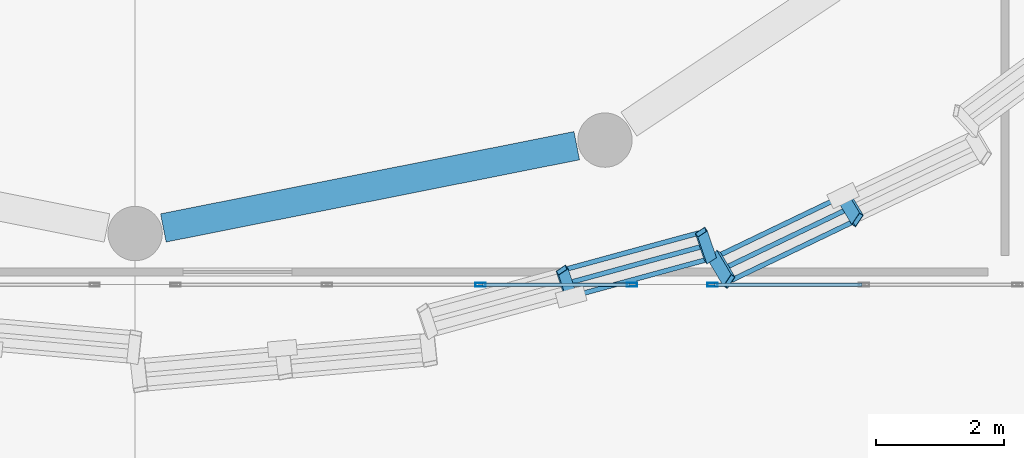
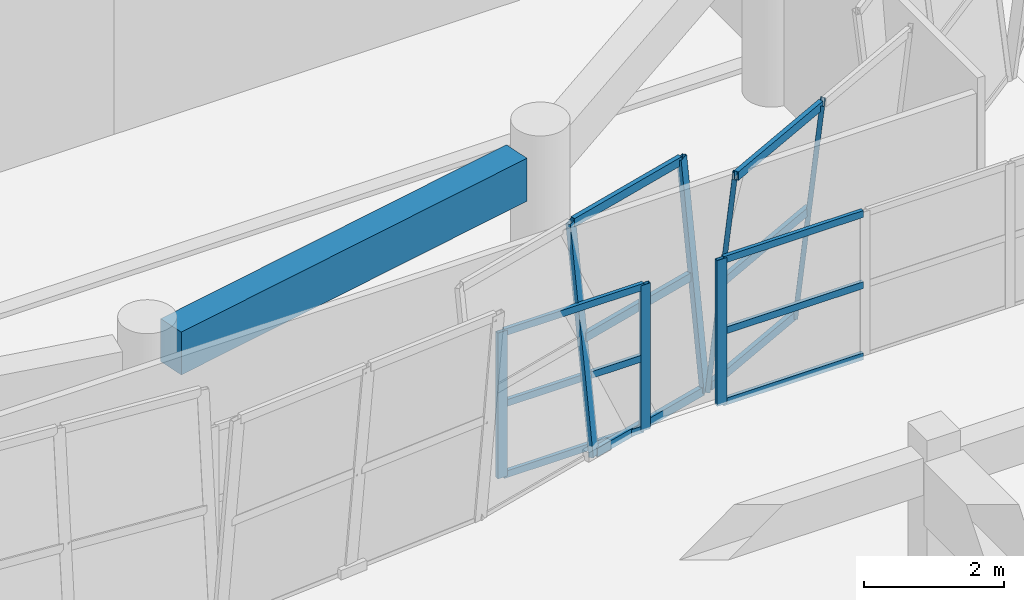
# One storey, part 22 of 74: 19 members, 1 beam, 4 elements without a shape of their own.
"""IFC4 building model written with IfcOpenShell, lengths in metres."""

from ifc_helpers import new_model, si_unit, direction, frame, origin, origin_2d, place, context, subcontext, project, spatial, rectangle, hollow_rectangle, extrude, material, material_profile, profile_set, type_object, element, aggregate, save


model = new_model("IFC4")

# Units and contexts
model_context = context("Model", 3, precision=1e-05, world=origin(), true_north=direction((0.0, 1.0)))
body_context = subcontext(model_context, "Body", "Model", "MODEL_VIEW")
ifc_project = project(units=[si_unit("LENGTHUNIT", "METRE"), si_unit("AREAUNIT", "SQUARE_METRE"), si_unit("VOLUMEUNIT", "CUBIC_METRE"), si_unit("PLANEANGLEUNIT", "RADIAN"), si_unit("MASSUNIT", "GRAM", prefix="KILO")], contexts=[model_context])

# Site, building, storey
site_placement = place(None, origin())
site = spatial("IfcSite", under=ifc_project, at=site_placement, CompositionType="ELEMENT")
building_placement = place(site_placement, origin())
building = spatial("IfcBuilding", under=site, at=building_placement, Name="Korsvaeld Concert Hall", CompositionType="ELEMENT")
storey_placement = place(building_placement, frame((0.0, 0.0, 9.0)))
storey = spatial("IfcBuildingStorey", under=building, at=storey_placement, Name="L02", CompositionType="ELEMENT", Elevation=9.0)

# Beam
ifc_material_1 = material(Name="Concrete C35/45", Category="concrete")
ifc_material_profile_1 = material_profile(ifc_material_1, rectangle(XDim=0.449951171875, YDim=0.75, at=origin_2d()), Name="RC 450x750")
ifc_profile_set_1 = profile_set([ifc_material_profile_1], Name="Concrete C35/45")
beam_type = type_object("IfcBeamType", Name="BM-RC-450x750", PredefinedType="T_BEAM", material=ifc_profile_set_1)
beam_placement = place(storey_placement, frame((84.44140625, 44.087890625, 3.465087890625), z_axis=(0.980785284484, 0.195090301499, 0.0), x_axis=(-0.195090301499, 0.980785284484, 0.0)))
element("IfcBeam", 1, at=beam_placement, inside=storey, type_object=beam_type, Name="Drum ring floor girder L02 13", PredefinedType="T_BEAM", context=body_context, shape_type="SweptSolid", body=[
    extrude(rectangle(XDim=0.449951171875, YDim=0.75, at=origin_2d()), origin(), (0.0, 0.0, 1.0), 6.59130859375),
])

# Curtain wall, members
ifc_material_2 = material(Name="Anodised bronze and ceramic-fritted safety glass", Category="glass")
curtain_wall_type_1 = type_object("IfcCurtainWallType", Name="CW-TYPE-10", PredefinedType="USERDEFINED", material=ifc_material_2)
curtain_wall_1_placement = place(storey_placement, origin())
curtain_wall_1 = element("IfcCurtainWall", 2, at=curtain_wall_1_placement, inside=storey, type_object=curtain_wall_type_1, Name="Glazed foyer acoustic screen L02-34", ObjectType="CURTAIN WALL", PredefinedType="USERDEFINED")
ifc_material_3 = material(Name="Anodised architectural bronze aluminium", Category="aluminium")
ifc_material_profile_2 = material_profile(ifc_material_3, hollow_rectangle(XDim=0.06005859375, YDim=0.159912109375, WallThickness=0.00390625, at=origin_2d()), Name="CWM 160x60x4")
ifc_profile_set_2 = profile_set([ifc_material_profile_2], Name="Anodised architectural bronze aluminium")
member_type_1 = type_object("IfcMemberType", Name="CWM-ALUM-160x60", PredefinedType="MULLION", material=ifc_profile_set_2)
member_1_placement = place(storey_placement, frame((89.39990234375, 43.199951171875, 0.0), z_axis=(0.0, 0.0, 1.0), x_axis=(0.0, 1.0, 0.0)))
member_1 = element("IfcMember", 3, at=member_1_placement, type_object=member_type_1, Name="CW-10 mullion 3", PredefinedType="MULLION", context=body_context, shape_type="SweptSolid", body=[
    extrude(hollow_rectangle(XDim=0.06005859375, YDim=0.159912109375, WallThickness=0.00390625, at=origin_2d()), origin(), (0.0, 0.0, 1.0), 2.550048828125),
])
member_2_placement = place(storey_placement, frame((91.77001953125, 43.199951171875, 0.0), z_axis=(0.0, 0.0, 1.0), x_axis=(0.0, 1.0, 0.0)))
member_2 = element("IfcMember", 4, at=member_2_placement, type_object=member_type_1, Name="CW-10 mullion 4", PredefinedType="MULLION", context=body_context, shape_type="SweptSolid", body=[
    extrude(hollow_rectangle(XDim=0.06005859375, YDim=0.159912109375, WallThickness=0.00390625, at=origin_2d()), origin(), (0.0, 0.0, 1.0), 2.550048828125),
])

# Curtain wall, member
curtain_wall_type_2 = type_object("IfcCurtainWallType", Name="CW-TYPE-11", PredefinedType="USERDEFINED", material=ifc_material_2)
curtain_wall_2_placement = place(storey_placement, origin())
curtain_wall_2 = element("IfcCurtainWall", 5, at=curtain_wall_2_placement, inside=storey, type_object=curtain_wall_type_2, Name="Glazed foyer acoustic screen L02-35", ObjectType="CURTAIN WALL", PredefinedType="USERDEFINED")
member_3_placement = place(storey_placement, frame((93.030029296875, 43.199951171875, 0.0), z_axis=(0.0, 0.0, 1.0), x_axis=(0.0, 1.0, 0.0)))
member_3 = element("IfcMember", 6, at=member_3_placement, type_object=member_type_1, Name="CW-11 mullion 1", PredefinedType="MULLION", context=body_context, shape_type="SweptSolid", body=[
    extrude(hollow_rectangle(XDim=0.06005859375, YDim=0.159912109375, WallThickness=0.00390625, at=origin_2d()), origin(), (0.0, 0.0, 1.0), 2.550048828125),
])

# Curtain wall, members
curtain_wall_type_3 = type_object("IfcCurtainWallType", Name="CW-TYPE-02", PredefinedType="USERDEFINED", material=ifc_material_2)
curtain_wall_3_placement = place(storey_placement, origin())
curtain_wall_3 = element("IfcCurtainWall", 7, at=curtain_wall_3_placement, inside=storey, type_object=curtain_wall_type_3, Name="Crystal curtain-wall facet L02 F26", ObjectType="CURTAIN WALL", PredefinedType="USERDEFINED")
ifc_material_profile_3 = material_profile(ifc_material_3, hollow_rectangle(XDim=0.074951171875, YDim=0.179931640625, WallThickness=0.0048828125, at=origin_2d()), Name="CWM 180x75x5")
ifc_profile_set_3 = profile_set([ifc_material_profile_3], Name="Anodised architectural bronze aluminium")
member_type_2 = type_object("IfcMemberType", Name="CWM-BRONZE-180x75", PredefinedType="MULLION", material=ifc_profile_set_3)
member_4_placement = place(storey_placement, frame((90.817626953125, 43.010498046875, 0.0), z_axis=(-0.036199127939, 0.107284462077, 0.993569155788), x_axis=(0.555586106848, -0.82425112305, 0.109243599485)))
member_4 = element("IfcMember", 8, at=member_4_placement, type_object=member_type_2, Name="CW-CRYS-L02-F26 crystal mullion 2", PredefinedType="MULLION", context=body_context, shape_type="SweptSolid", body=[
    extrude(hollow_rectangle(XDim=0.074951171875, YDim=0.179931640625, WallThickness=0.0048828125, at=origin_2d()), origin(), (0.0, 0.0, 1.0), 3.905029296875),
])
member_5_placement = place(storey_placement, frame((92.9951171875, 43.60400390625, 0.0), z_axis=(-0.036199370674, 0.107222660976, 0.993575818212), x_axis=(0.55573373549, -0.824159071594, 0.109187178494)))
member_5 = element("IfcMember", 9, at=member_5_placement, type_object=member_type_2, Name="CW-CRYS-L02-F26 crystal mullion 3", PredefinedType="MULLION", context=body_context, shape_type="SweptSolid", body=[
    extrude(hollow_rectangle(XDim=0.074951171875, YDim=0.179931640625, WallThickness=0.0048828125, at=origin_2d()), origin(), (0.0, 0.0, 1.0), 3.905029296875),
])

curtain_wall_type_4 = type_object("IfcCurtainWallType", Name="CW-TYPE-03", PredefinedType="USERDEFINED", material=ifc_material_2)
curtain_wall_4_placement = place(storey_placement, origin())
curtain_wall_4 = element("IfcCurtainWall", 10, at=curtain_wall_4_placement, inside=storey, type_object=curtain_wall_type_4, Name="Crystal curtain-wall facet L02 F27", ObjectType="CURTAIN WALL", PredefinedType="USERDEFINED")
ifc_material_profile_4 = material_profile(ifc_material_3, hollow_rectangle(XDim=0.074951171875, YDim=0.219970703125, WallThickness=0.006103515625, at=origin_2d()), Name="CWM 220x75x6")
ifc_profile_set_4 = profile_set([ifc_material_profile_4], Name="Anodised architectural bronze aluminium")
member_type_3 = type_object("IfcMemberType", Name="CWM-BRONZE-220x75", PredefinedType="MULLION", material=ifc_profile_set_4)
member_6_placement = place(storey_placement, frame((93.065185546875, 43.630126953125, 0.0), z_axis=(0.057893742062, -0.097281493141, 0.993571651026), x_axis=(-0.829999138773, 0.548349174532, 0.102052008437)))
member_6 = element("IfcMember", 11, at=member_6_placement, type_object=member_type_3, Name="CW-CRYS-L02-F27 crystal mullion 1", PredefinedType="MULLION", context=body_context, shape_type="SweptSolid", body=[
    extrude(hollow_rectangle(XDim=0.074951171875, YDim=0.219970703125, WallThickness=0.006103515625, at=origin_2d()), origin(), (0.0, 0.0, 1.0), 3.905029296875),
])
member_7_placement = place(storey_placement, frame((95.0712890625, 44.59326171875, 0.0), z_axis=(0.057893742062, -0.097281493141, 0.993571651026), x_axis=(-0.829999138773, 0.548349174532, 0.102052008437)))
member_7 = element("IfcMember", 12, at=member_7_placement, type_object=member_type_3, Name="CW-CRYS-L02-F27 crystal mullion 2", PredefinedType="MULLION", context=body_context, shape_type="SweptSolid", body=[
    extrude(hollow_rectangle(XDim=0.074951171875, YDim=0.219970703125, WallThickness=0.006103515625, at=origin_2d()), origin(), (0.0, 0.0, 1.0), 3.905029296875),
])

# Member
ifc_material_profile_5 = material_profile(ifc_material_3, hollow_rectangle(XDim=0.06005859375, YDim=0.1201171875, WallThickness=0.00390625, at=origin_2d()), Name="CWT 120x60x4")
ifc_profile_set_5 = profile_set([ifc_material_profile_5], Name="Anodised architectural bronze aluminium")
member_type_4 = type_object("IfcMemberType", Name="CWT-ALUM-120x60", PredefinedType="USERDEFINED", material=ifc_profile_set_5)
member_8_placement = place(storey_placement, frame((89.429931640625, 43.199951171875, 0.030029296875), z_axis=(1.0, 0.0, 0.0), x_axis=(0.0, 1.0, 0.0)))
member_8 = element("IfcMember", 13, at=member_8_placement, type_object=member_type_4, Name="CW-10 transom 3.1", ObjectType="TRANSOM", PredefinedType="USERDEFINED", context=body_context, shape_type="SweptSolid", body=[
    extrude(hollow_rectangle(XDim=0.06005859375, YDim=0.1201171875, WallThickness=0.00390625, at=origin_2d()), origin(), (0.0, 0.0, 1.0), 2.31005859375),
])

member_9_placement = place(storey_placement, frame((89.429931640625, 43.199951171875, 1.27490234375), z_axis=(1.0, 0.0, 0.0), x_axis=(0.0, 1.0, 0.0)))
member_9 = element("IfcMember", 14, at=member_9_placement, type_object=member_type_4, Name="CW-10 transom 3.2", ObjectType="TRANSOM", PredefinedType="USERDEFINED", context=body_context, shape_type="SweptSolid", body=[
    extrude(hollow_rectangle(XDim=0.06005859375, YDim=0.1201171875, WallThickness=0.00390625, at=origin_2d()), origin(), (0.0, 0.0, 1.0), 2.31005859375),
])

member_10_placement = place(storey_placement, frame((89.429931640625, 43.199951171875, 2.52001953125), z_axis=(1.0, 0.0, 0.0), x_axis=(0.0, 1.0, 0.0)))
member_10 = element("IfcMember", 15, at=member_10_placement, type_object=member_type_4, Name="CW-10 transom 3.3", ObjectType="TRANSOM", PredefinedType="USERDEFINED", context=body_context, shape_type="SweptSolid", body=[
    extrude(hollow_rectangle(XDim=0.06005859375, YDim=0.1201171875, WallThickness=0.00390625, at=origin_2d()), origin(), (0.0, 0.0, 1.0), 2.31005859375),
])

aggregate(curtain_wall_1, [member_1, member_2, member_8, member_9, member_10])

member_11_placement = place(storey_placement, frame((93.06005859375, 43.199951171875, 0.030029296875), z_axis=(1.0, 0.0, 0.0), x_axis=(0.0, 1.0, 0.0)))
member_11 = element("IfcMember", 16, at=member_11_placement, type_object=member_type_4, Name="CW-11 transom 1.1", ObjectType="TRANSOM", PredefinedType="USERDEFINED", context=body_context, shape_type="SweptSolid", body=[
    extrude(hollow_rectangle(XDim=0.06005859375, YDim=0.1201171875, WallThickness=0.00390625, at=origin_2d()), origin(), (0.0, 0.0, 1.0), 2.31005859375),
])

member_12_placement = place(storey_placement, frame((93.06005859375, 43.199951171875, 1.27490234375), z_axis=(1.0, 0.0, 0.0), x_axis=(0.0, 1.0, 0.0)))
member_12 = element("IfcMember", 17, at=member_12_placement, type_object=member_type_4, Name="CW-11 transom 1.2", ObjectType="TRANSOM", PredefinedType="USERDEFINED", context=body_context, shape_type="SweptSolid", body=[
    extrude(hollow_rectangle(XDim=0.06005859375, YDim=0.1201171875, WallThickness=0.00390625, at=origin_2d()), origin(), (0.0, 0.0, 1.0), 2.31005859375),
])

member_13_placement = place(storey_placement, frame((93.06005859375, 43.199951171875, 2.52001953125), z_axis=(1.0, 0.0, 0.0), x_axis=(0.0, 1.0, 0.0)))
member_13 = element("IfcMember", 18, at=member_13_placement, type_object=member_type_4, Name="CW-11 transom 1.3", ObjectType="TRANSOM", PredefinedType="USERDEFINED", context=body_context, shape_type="SweptSolid", body=[
    extrude(hollow_rectangle(XDim=0.06005859375, YDim=0.1201171875, WallThickness=0.00390625, at=origin_2d()), origin(), (0.0, 0.0, 1.0), 2.31005859375),
])

aggregate(curtain_wall_2, [member_3, member_11, member_12, member_13])

ifc_material_profile_6 = material_profile(ifc_material_3, hollow_rectangle(XDim=0.074951171875, YDim=0.14990234375, WallThickness=0.0048828125, at=origin_2d()), Name="CWT 150x75x5")
ifc_profile_set_6 = profile_set([ifc_material_profile_6], Name="Anodised architectural bronze aluminium")
member_type_5 = type_object("IfcMemberType", Name="CWT-BRONZE-150x75", PredefinedType="USERDEFINED", material=ifc_profile_set_6)
member_14_placement = place(storey_placement, frame((90.852783203125, 43.023681640625, 0.030029296875), z_axis=(0.964805126409, 0.262965906641, 0.0), x_axis=(-0.262965906641, 0.964805126409, 0.0)))
member_14 = element("IfcMember", 19, at=member_14_placement, type_object=member_type_5, Name="CW-CRYS-L02-F26 crystal transom 2.1", ObjectType="TRANSOM", PredefinedType="USERDEFINED", context=body_context, shape_type="SweptSolid", body=[
    extrude(hollow_rectangle(XDim=0.074951171875, YDim=0.14990234375, WallThickness=0.0048828125, at=origin_2d()), origin(), (0.0, 0.0, 1.0), 2.181884765625),
])

member_15_placement = place(storey_placement, frame((90.783203125, 43.22998046875, 1.93994140625), z_axis=(0.964833511963, 0.262861739689, 0.0), x_axis=(-0.262861739689, 0.964833511963, 0.0)))
member_15 = element("IfcMember", 20, at=member_15_placement, type_object=member_type_5, Name="CW-CRYS-L02-F26 crystal transom 2.2", ObjectType="TRANSOM", PredefinedType="USERDEFINED", context=body_context, shape_type="SweptSolid", body=[
    extrude(hollow_rectangle(XDim=0.074951171875, YDim=0.14990234375, WallThickness=0.0048828125, at=origin_2d()), origin(), (0.0, 0.0, 1.0), 2.181640625),
])

member_16_placement = place(storey_placement, frame((90.713623046875, 43.43603515625, 3.85009765625), z_axis=(0.964805126409, 0.262965906641, 0.0), x_axis=(-0.262965906641, 0.964805126409, 0.0)))
member_16 = element("IfcMember", 21, at=member_16_placement, type_object=member_type_5, Name="CW-CRYS-L02-F26 crystal transom 2.3", ObjectType="TRANSOM", PredefinedType="USERDEFINED", context=body_context, shape_type="SweptSolid", body=[
    extrude(hollow_rectangle(XDim=0.074951171875, YDim=0.14990234375, WallThickness=0.0048828125, at=origin_2d()), origin(), (0.0, 0.0, 1.0), 2.181884765625),
])

aggregate(curtain_wall_3, [member_4, member_5, member_14, member_15, member_16])

member_17_placement = place(storey_placement, frame((93.1005859375, 43.643310546875, 0.030029296875), z_axis=(0.901464591462, 0.432852850679, 0.0), x_axis=(-0.432852850679, 0.901464591462, 0.0)))
member_17 = element("IfcMember", 22, at=member_17_placement, type_object=member_type_5, Name="CW-CRYS-L02-F27 crystal transom 1.1", ObjectType="TRANSOM", PredefinedType="USERDEFINED", context=body_context, shape_type="SweptSolid", body=[
    extrude(hollow_rectangle(XDim=0.074951171875, YDim=0.14990234375, WallThickness=0.0048828125, at=origin_2d()), origin(), (0.0, 0.0, 1.0), 2.150634765625),
])

member_18_placement = place(storey_placement, frame((93.2119140625, 43.456298828125, 1.93994140625), z_axis=(0.901464591462, 0.432852850679, 0.0), x_axis=(-0.432852850679, 0.901464591462, 0.0)))
member_18 = element("IfcMember", 23, at=member_18_placement, type_object=member_type_5, Name="CW-CRYS-L02-F27 crystal transom 1.2", ObjectType="TRANSOM", PredefinedType="USERDEFINED", context=body_context, shape_type="SweptSolid", body=[
    extrude(hollow_rectangle(XDim=0.074951171875, YDim=0.14990234375, WallThickness=0.0048828125, at=origin_2d()), origin(), (0.0, 0.0, 1.0), 2.150634765625),
])

member_19_placement = place(storey_placement, frame((93.3232421875, 43.269287109375, 3.85009765625), z_axis=(0.901464591462, 0.432852850679, 0.0), x_axis=(-0.432852850679, 0.901464591462, 0.0)))
member_19 = element("IfcMember", 24, at=member_19_placement, type_object=member_type_5, Name="CW-CRYS-L02-F27 crystal transom 1.3", ObjectType="TRANSOM", PredefinedType="USERDEFINED", context=body_context, shape_type="SweptSolid", body=[
    extrude(hollow_rectangle(XDim=0.074951171875, YDim=0.14990234375, WallThickness=0.0048828125, at=origin_2d()), origin(), (0.0, 0.0, 1.0), 2.150634765625),
])

aggregate(curtain_wall_4, [member_6, member_7, member_17, member_18, member_19])

save(model, "model.ifc")
